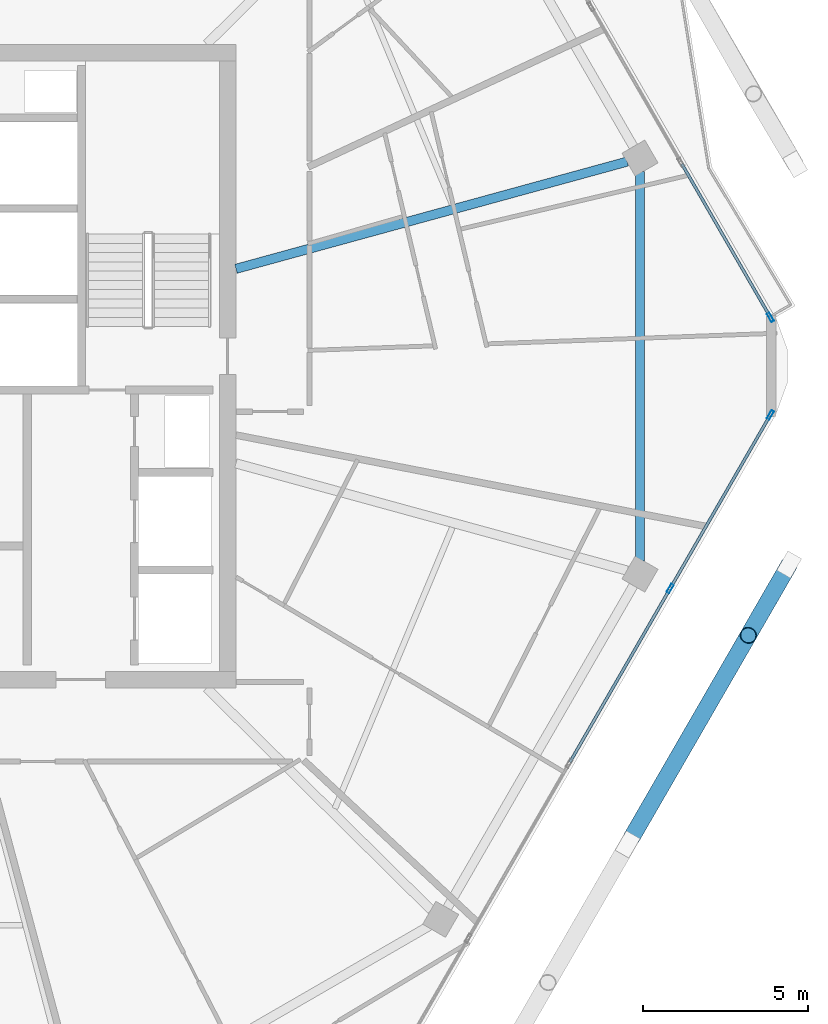
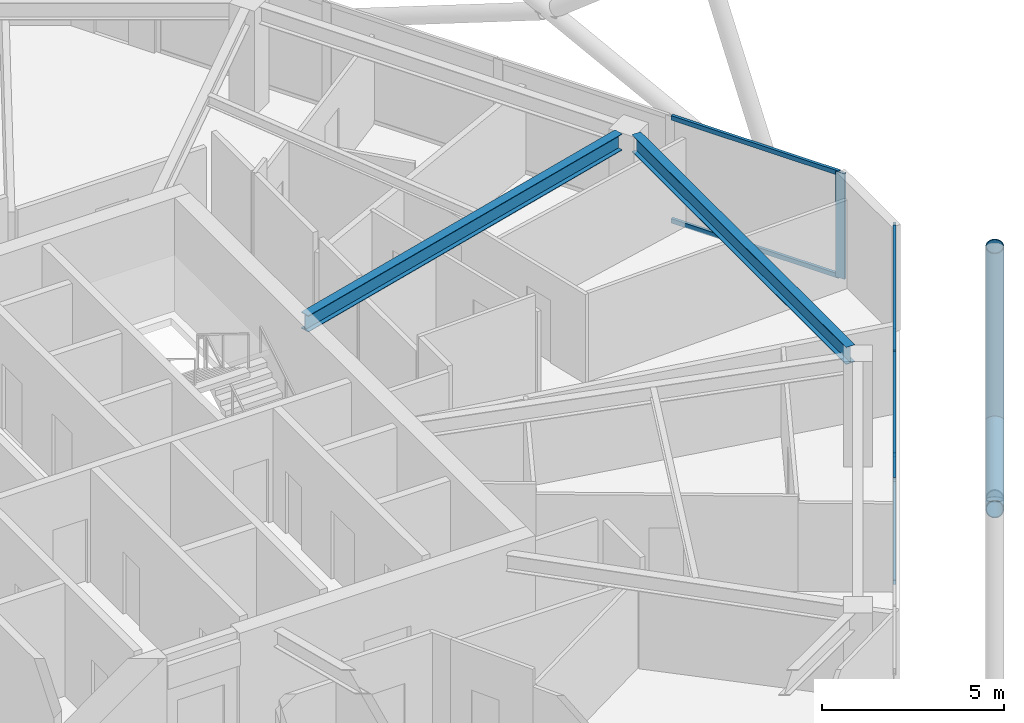
# One storey, part 8 of 23: 11 members, 2 beams, 2 elements without a shape of their own.
"""IFC4 building model written with IfcOpenShell, lengths in metres."""

import ifcopenshell
import ifcopenshell.guid

model = None  # the IFC model being written
_history = None  # IfcOwnerHistory: only IFC2X3 demands one
_inside = {}  # id of a spatial element -> (the spatial element, [elements in it])
_under = {}  # id of a project, library or spatial element -> (it, [spatial elements below it])
_declared = {}  # id of a project -> (the project, [libraries it declares])
_typed = {}  # id of a type object -> (the type object, [elements of that type])
_made_of = {}  # id of a material, layer set ... -> (it, [elements and type objects made of it])


def new_model(schema):
    """Start an empty IFC model of exactly this schema.

    Asked for "IFC4X3", IfcOpenShell would pick the latest addendum, in which some entities
    have other attributes; the version numbers below select the first issue.
    IFC2X3 requires an IfcOwnerHistory on every rooted entity: one is made here for all.
    """
    global model, _history
    if schema == "IFC4X3":
        model = ifcopenshell.file(schema_version=(4, 3, 0, 0))
    else:
        model = ifcopenshell.file(schema=schema)
    _inside.clear()
    _under.clear()
    _declared.clear()
    _typed.clear()
    _made_of.clear()
    _history = None
    if model.schema == "IFC2X3":
        org = make("IfcOrganization", Name="unknown")
        user = make(
            "IfcPersonAndOrganization",
            ThePerson=make("IfcPerson", FamilyName="unknown"),
            TheOrganization=org,
        )
        app = make(
            "IfcApplication",
            ApplicationDeveloper=org,
            Version="unknown",
            ApplicationFullName="unknown",
            ApplicationIdentifier="unknown",
        )
        _history = make(
            "IfcOwnerHistory",
            OwningUser=user,
            OwningApplication=app,
            ChangeAction="ADDED",
            CreationDate=0,
        )
    return model


def make(cls, **values):
    """One entity of the class cls with the attributes given. An attribute that is None is left unset."""
    return model.create_entity(
        cls, **{name: value for name, value in values.items() if value is not None}
    )


def rooted(cls, **values):
    """An entity with a GlobalId (a new one), such as an element, a storey or a relation."""
    return make(cls, GlobalId=ifcopenshell.guid.new(), OwnerHistory=_history, **values)


def si_unit(unit_type, name, prefix=None):
    """IfcSIUnit, for example si_unit("LENGTHUNIT", "METRE", prefix="MILLI")."""
    return make("IfcSIUnit", UnitType=unit_type, Prefix=prefix, Name=name)


def assignment(units):
    """IfcUnitAssignment: the units of a project."""
    return None if units is None else make("IfcUnitAssignment", Units=units)


def point(xyz):
    """IfcCartesianPoint."""
    return None if xyz is None else make("IfcCartesianPoint", Coordinates=xyz)


def direction(xyz):
    """IfcDirection."""
    return None if xyz is None else make("IfcDirection", DirectionRatios=xyz)


def frame(location, z_axis=None, x_axis=None):
    """IfcAxis2Placement3D, a coordinate frame: its origin and axes. An axis left out is left unset."""
    return make(
        "IfcAxis2Placement3D",
        Location=point(location),
        Axis=direction(z_axis),
        RefDirection=direction(x_axis),
    )


def frame_2d(location, x_axis=None):
    """IfcAxis2Placement2D, a coordinate frame in the plane: its origin and x axis."""
    return make(
        "IfcAxis2Placement2D", Location=point(location), RefDirection=direction(x_axis)
    )


def origin():
    """The frame at (0, 0, 0) with its axes left unset."""
    return frame((0.0, 0.0, 0.0))


def origin_2d():
    """The frame at (0, 0) in the plane with its x axis left unset."""
    return frame_2d((0.0, 0.0))


def place(relative_to, where):
    """IfcLocalPlacement: puts the frame where relative to a parent placement (None: the world)."""
    return make(
        "IfcLocalPlacement", PlacementRelTo=relative_to, RelativePlacement=where
    )


def context(
    kind, dimensions, precision=None, world=None, true_north=None, identifier=None
):
    """IfcGeometricRepresentationContext, for example the 3D "Model" context."""
    return make(
        "IfcGeometricRepresentationContext",
        ContextIdentifier=identifier,
        ContextType=kind,
        CoordinateSpaceDimension=dimensions,
        Precision=precision,
        WorldCoordinateSystem=world,
        TrueNorth=true_north,
    )


def subcontext(parent, identifier, kind, view, scale=None):
    """IfcGeometricRepresentationSubContext, for example "Body" below "Model"."""
    return make(
        "IfcGeometricRepresentationSubContext",
        ContextIdentifier=identifier,
        ContextType=kind,
        ParentContext=parent,
        TargetScale=scale,
        TargetView=view,
    )


def project(units=None, contexts=None):
    """IfcProject with its units and contexts."""
    return rooted(
        "IfcProject",
        Name="project",
        RepresentationContexts=contexts,
        UnitsInContext=assignment(units),
    )


def spatial(cls, under=None, at=None, **own):
    """A site, building, storey or space (cls), placed at a placement, below another one or the project."""
    s = rooted(cls, ObjectPlacement=at, **own)
    if under is not None:
        _under.setdefault(under.id(), (under, []))[1].append(s)
    return s


def profile(cls, at=None, kind="AREA", **sizes):
    """A parametric profile (cls). Its sizes go by their IFC names, for example OverallWidth=200.0."""
    return make(cls, ProfileType=kind, Position=at, **sizes)


def hollow_rectangle(**sizes):
    """IfcRectangleHollowProfileDef."""
    return profile("IfcRectangleHollowProfileDef", **sizes)


def hollow_circle(**sizes):
    """IfcCircleHollowProfileDef."""
    return profile("IfcCircleHollowProfileDef", **sizes)


def i_section(**sizes):
    """IfcIShapeProfileDef."""
    return profile("IfcIShapeProfileDef", **sizes)


def extrude(swept, where, along, depth):
    """IfcExtrudedAreaSolid: the profile swept, set in the frame where, extruded along a direction by depth."""
    return make(
        "IfcExtrudedAreaSolid",
        SweptArea=swept,
        Position=where,
        ExtrudedDirection=direction(along),
        Depth=depth,
    )


def shape(context_of_items, identifier, shape_type, items):
    """IfcShapeRepresentation: the items that make up one representation, for example the "Body"."""
    return make(
        "IfcShapeRepresentation",
        ContextOfItems=context_of_items,
        RepresentationIdentifier=identifier,
        RepresentationType=shape_type,
        Items=items,
    )


def material(Name=None, Category=None):
    """IfcMaterial."""
    return make("IfcMaterial", Name=Name, Category=Category)


def material_profile(
    of_material, cross_section, Name=None, Category=None, Priority=None
):
    """IfcMaterialProfile: a cross section and its material."""
    return make(
        "IfcMaterialProfile",
        Name=Name,
        Material=of_material,
        Profile=cross_section,
        Priority=Priority,
        Category=Category,
    )


def profile_set(profiles, Name=None, composite=None):
    """IfcMaterialProfileSet."""
    return make(
        "IfcMaterialProfileSet",
        Name=Name,
        MaterialProfiles=profiles,
        CompositeProfile=composite,
    )


def made_of(thing, what):
    """Note that an element or type object is made of a material, layer set ...; save() writes the relation."""
    if what is not None:
        _made_of.setdefault(what.id(), (what, []))[1].append(thing)
    return thing


def type_object(cls, material=None, **own):
    """A type object (cls), such as IfcWallType, which elements share."""
    return made_of(rooted(cls, **own), material)


def element(
    cls,
    number,
    at=None,
    inside=None,
    cuts=None,
    type_object=None,
    material=None,
    context=None,
    identifier="Body",
    shape_type=None,
    held_by="IfcProductDefinitionShape",
    body=None,
    shapes=None,
    **own,
):
    """One element of the class cls, such as IfcWall. Its Tag is "e" and its number.

    at: its placement. inside: the storey or other place that contains it. cuts: it is an
    opening in that element (IfcRelVoidsElement). A single representation is given by context,
    identifier, shape_type and body (its items); several are given by shapes. held_by: the class
    of the entity that holds the representations. save() writes the other relations.
    """
    e = rooted(cls, Tag="e%d" % number, ObjectPlacement=at, **own)
    if body is not None:
        shapes = [shape(context, identifier, shape_type, body)]
    if shapes is not None:
        e.Representation = make(held_by, Representations=shapes)
    if inside is not None:
        _inside.setdefault(inside.id(), (inside, []))[1].append(e)
    if cuts is not None:
        rooted(
            "IfcRelVoidsElement", RelatingBuildingElement=cuts, RelatedOpeningElement=e
        )
    if type_object is not None:
        _typed.setdefault(type_object.id(), (type_object, []))[1].append(e)
    return made_of(e, material)


def aggregate(whole, parts):
    """IfcRelAggregates: a whole, such as a stair, and the parts it consists of."""
    return rooted("IfcRelAggregates", RelatingObject=whole, RelatedObjects=parts)


def save(model, path):
    """Write the relations noted so far, then the file.

    IfcRelAggregates (storeys below a building ...), IfcRelContainedInSpatialStructure (elements
    in a storey), IfcRelDefinesByType, IfcRelAssociatesMaterial and IfcRelDeclares: one each for
    every whole, place, type object, material and project.
    """
    for whole, parts in _under.values():
        aggregate(whole, parts)
    for where, things in _inside.values():
        rooted(
            "IfcRelContainedInSpatialStructure",
            RelatedElements=things,
            RelatingStructure=where,
        )
    for kind, things in _typed.values():
        rooted("IfcRelDefinesByType", RelatedObjects=things, RelatingType=kind)
    for what, things in _made_of.values():
        rooted("IfcRelAssociatesMaterial", RelatedObjects=things, RelatingMaterial=what)
    for by, libraries in _declared.values():
        rooted("IfcRelDeclares", RelatingContext=by, RelatedDefinitions=libraries)
    model.write(path)


model = new_model("IFC4")

# Units and contexts
model_context = context("Model", 3, precision=1e-05, world=origin(), true_north=direction((0.0, 1.0)))
body_context = subcontext(model_context, "Body", "Model", "MODEL_VIEW")
ifc_project = project(units=[si_unit("LENGTHUNIT", "METRE"), si_unit("AREAUNIT", "SQUARE_METRE"), si_unit("VOLUMEUNIT", "CUBIC_METRE"), si_unit("PLANEANGLEUNIT", "RADIAN"), si_unit("MASSUNIT", "GRAM", prefix="KILO")], contexts=[model_context])

# Site, building, storey
site_placement = place(None, origin())
site = spatial("IfcSite", under=ifc_project, at=site_placement, CompositionType="ELEMENT")
building_placement = place(site_placement, origin())
building = spatial("IfcBuilding", under=site, at=building_placement, Name="Zuhravey Tower", CompositionType="ELEMENT")
storey_placement = place(building_placement, frame((0.0, 0.0, 331.0)))
storey = spatial("IfcBuildingStorey", under=building, at=storey_placement, Name="L84", CompositionType="ELEMENT", Elevation=331.0)

# Curtain wall, members
ifc_material_1 = material(Name="Thermally broken anodised aluminium", Category="aluminium")
curtain_wall_type = type_object("IfcCurtainWallType", Name="Zone 3-4 High-Rise Curtain Wall CW4", PredefinedType="NOTDEFINED", material=ifc_material_1)
curtain_wall_1_placement = place(storey_placement, origin())
curtain_wall_1 = element("IfcCurtainWall", 1, at=curtain_wall_1_placement, inside=storey, type_object=curtain_wall_type, Name="L84 CW4 CW-L84-F6-1", PredefinedType="NOTDEFINED")
ifc_material_2 = material(Name="Anodised aluminium", Category="aluminium")
ifc_material_profile_1 = material_profile(ifc_material_2, hollow_rectangle(XDim=0.090087890625, YDim=0.284912109375, WallThickness=0.0048828125, at=origin_2d()), Name="ALU-RHS-90x285x5")
ifc_profile_set_1 = profile_set([ifc_material_profile_1], Name="Anodised aluminium")
member_type_1 = type_object("IfcMemberType", Name="Curtain-Wall Mullion 90x180", PredefinedType="MULLION", material=ifc_profile_set_1)
member_1_placement = place(storey_placement, frame((62.94580078125, 30.5234375, 0.0), z_axis=(0.0, 0.0, 1.0), x_axis=(0.866025511541, -0.49999981336, 0.0)))
member_1 = element("IfcMember", 2, at=member_1_placement, type_object=member_type_1, Name="CW4 mullion 1", PredefinedType="MULLION", context=body_context, shape_type="SweptSolid", body=[
    extrude(hollow_rectangle(XDim=0.090087890625, YDim=0.284912109375, WallThickness=0.0048828125, at=origin_2d()), origin(), (0.0, 0.0, 1.0), 3.550048828125),
])
member_2_placement = place(storey_placement, frame((59.90869140625, 25.2626953125, 0.0), z_axis=(0.0, 0.0, 1.0), x_axis=(0.866025511541, -0.49999981336, 0.0)))
member_2 = element("IfcMember", 3, at=member_2_placement, type_object=member_type_1, Name="CW4 mullion 2", PredefinedType="MULLION", context=body_context, shape_type="SweptSolid", body=[
    extrude(hollow_rectangle(XDim=0.090087890625, YDim=0.284912109375, WallThickness=0.0048828125, at=origin_2d()), origin(), (0.0, 0.0, 1.0), 3.550048828125),
])

# Curtain wall, member
curtain_wall_2_placement = place(storey_placement, origin())
curtain_wall_2 = element("IfcCurtainWall", 4, at=curtain_wall_2_placement, inside=storey, type_object=curtain_wall_type, Name="L84 CW4 CW-L84-F1-1", PredefinedType="NOTDEFINED")
member_3_placement = place(storey_placement, frame((62.94580078125, 33.4765625, 0.0), z_axis=(0.0, 0.0, 1.0), x_axis=(0.866024394206, 0.500001748638, 0.0)))
member_3 = element("IfcMember", 5, at=member_3_placement, type_object=member_type_1, Name="CW4 mullion 5", PredefinedType="MULLION", context=body_context, shape_type="SweptSolid", body=[
    extrude(hollow_rectangle(XDim=0.090087890625, YDim=0.284912109375, WallThickness=0.0048828125, at=origin_2d()), origin(), (0.0, 0.0, 1.0), 3.550048828125),
])

# Member
ifc_material_profile_2 = material_profile(ifc_material_2, hollow_rectangle(XDim=0.090087890625, YDim=0.14990234375, WallThickness=0.0048828125, at=origin_2d()), Name="ALU-RHS-90x150x5")
ifc_profile_set_2 = profile_set([ifc_material_profile_2], Name="Anodised aluminium")
member_type_2 = type_object("IfcMemberType", Name="Curtain-Wall Transom 90x150", PredefinedType="USERDEFINED", material=ifc_profile_set_2)
member_4_placement = place(storey_placement, frame((62.92333984375, 30.484619140625, 0.044921875), z_axis=(-0.499982594807, -0.866035452444, 0.0), x_axis=(0.866035452444, -0.499982594807, 0.0)))
member_4 = element("IfcMember", 6, at=member_4_placement, type_object=member_type_2, Name="CW4 transom 1.1", ObjectType="TRANSOM", PredefinedType="USERDEFINED", context=body_context, shape_type="SweptSolid", body=[
    extrude(hollow_rectangle(XDim=0.090087890625, YDim=0.14990234375, WallThickness=0.0048828125, at=origin_2d()), origin(), (0.0, 0.0, 1.0), 5.984619140625),
])

member_5_placement = place(storey_placement, frame((62.92333984375, 30.484619140625, 3.5048828125), z_axis=(-0.499982594807, -0.866035452444, 0.0), x_axis=(0.866035452444, -0.499982594807, 0.0)))
member_5 = element("IfcMember", 7, at=member_5_placement, type_object=member_type_2, Name="CW4 transom 1.2", ObjectType="TRANSOM", PredefinedType="USERDEFINED", context=body_context, shape_type="SweptSolid", body=[
    extrude(hollow_rectangle(XDim=0.090087890625, YDim=0.14990234375, WallThickness=0.0048828125, at=origin_2d()), origin(), (0.0, 0.0, 1.0), 5.984619140625),
])

member_6_placement = place(storey_placement, frame((59.885986328125, 25.2236328125, 0.044921875), z_axis=(-0.499988837749, -0.866031848217, 0.0), x_axis=(0.866031848217, -0.499988837749, 0.0)))
member_6 = element("IfcMember", 8, at=member_6_placement, type_object=member_type_2, Name="CW4 transom 2.1", ObjectType="TRANSOM", PredefinedType="USERDEFINED", context=body_context, shape_type="SweptSolid", body=[
    extrude(hollow_rectangle(XDim=0.090087890625, YDim=0.14990234375, WallThickness=0.0048828125, at=origin_2d()), origin(), (0.0, 0.0, 1.0), 6.029541015625),
])

member_7_placement = place(storey_placement, frame((59.885986328125, 25.2236328125, 3.5048828125), z_axis=(-0.499988837749, -0.866031848217, 0.0), x_axis=(0.866031848217, -0.499988837749, 0.0)))
member_7 = element("IfcMember", 9, at=member_7_placement, type_object=member_type_2, Name="CW4 transom 2.2", ObjectType="TRANSOM", PredefinedType="USERDEFINED", context=body_context, shape_type="SweptSolid", body=[
    extrude(hollow_rectangle(XDim=0.090087890625, YDim=0.14990234375, WallThickness=0.0048828125, at=origin_2d()), origin(), (0.0, 0.0, 1.0), 6.029541015625),
])

aggregate(curtain_wall_1, [member_1, member_2, member_4, member_5, member_6, member_7])

member_8_placement = place(storey_placement, frame((60.26220703125, 38.124755859375, 0.044921875), z_axis=(0.499987164874, -0.866032814021, 0.0), x_axis=(0.866032814021, 0.499987164874, 0.0)))
member_8 = element("IfcMember", 10, at=member_8_placement, type_object=member_type_2, Name="CW4 transom 4.1", ObjectType="TRANSOM", PredefinedType="USERDEFINED", context=body_context, shape_type="SweptSolid", body=[
    extrude(hollow_rectangle(XDim=0.090087890625, YDim=0.14990234375, WallThickness=0.0048828125, at=origin_2d()), origin(), (0.0, 0.0, 1.0), 5.322509765625),
])

member_9_placement = place(storey_placement, frame((60.26220703125, 38.124755859375, 3.5048828125), z_axis=(0.499987164874, -0.866032814021, 0.0), x_axis=(0.866032814021, 0.499987164874, 0.0)))
member_9 = element("IfcMember", 11, at=member_9_placement, type_object=member_type_2, Name="CW4 transom 4.2", ObjectType="TRANSOM", PredefinedType="USERDEFINED", context=body_context, shape_type="SweptSolid", body=[
    extrude(hollow_rectangle(XDim=0.090087890625, YDim=0.14990234375, WallThickness=0.0048828125, at=origin_2d()), origin(), (0.0, 0.0, 1.0), 5.322509765625),
])

aggregate(curtain_wall_2, [member_3, member_8, member_9])

# Members
ifc_material_3 = material(Name="Steel SM355", Category="steel")
ifc_material_profile_3 = material_profile(ifc_material_3, hollow_circle(Radius=0.25390625, WallThickness=0.02490234375, at=origin_2d()), Name="CHS-508.0x25")
ifc_profile_set_3 = profile_set([ifc_material_profile_3], Name="Steel SM355")
member_type_3 = type_object("IfcMemberType", Name="Exoskeleton Zone 4 Diagrid CHS508x25", PredefinedType="BRACE", material=ifc_profile_set_3)
member_10_placement = place(storey_placement, frame((63.510986328125, 25.982421875, -0.447998046875), z_axis=(-0.155227725192, -0.268842644559, 0.950593491351), x_axis=(0.866009569118, -0.500027425445, 0.0)))
element("IfcMember", 12, at=member_10_placement, inside=storey, type_object=member_type_3, Name="L84 Face 6 Diagrid Brace 4", PredefinedType="BRACE", context=body_context, shape_type="SweptSolid", body=[
    extrude(hollow_circle(Radius=0.25390625, WallThickness=0.02490234375, at=origin_2d()), origin(), (0.0, 0.0, 1.0), 7.96142578125),
])
member_11_placement = place(storey_placement, frame((63.49755859375, 25.958984375, -0.451416015625), z_axis=(-0.466120096099, -0.80734608376, 0.36183470957), x_axis=(0.866026046022, -0.49999888761, 0.0)))
element("IfcMember", 13, at=member_11_placement, inside=storey, type_object=member_type_3, Name="L84 Face 6 Split Diagrid Brace 3A", PredefinedType="BRACE", context=body_context, shape_type="SweptSolid", body=[
    extrude(hollow_circle(Radius=0.25390625, WallThickness=0.02490234375, at=origin_2d()), origin(), (0.0, 0.0, 1.0), 10.223388671875),
])

# Beams
ifc_material_profile_4 = material_profile(ifc_material_3, i_section(OverallWidth=0.280029296875, OverallDepth=0.580078125, WebThickness=0.011962890625, FlangeThickness=0.01904296875, at=origin_2d()), Name="H-580x280x12x19")
ifc_profile_set_4 = profile_set([ifc_material_profile_4], Name="Steel SM355")
beam_type_1 = type_object("IfcBeamType", Name="Perimeter Ring Beam H580x280", PredefinedType="BEAM", material=ifc_profile_set_4)
beam_1_placement = place(storey_placement, frame((58.993408203125, 26.1005859375, 3.260009765625), z_axis=(0.0, 1.0, 0.0), x_axis=(-1.0, 0.0, 0.0)))
element("IfcBeam", 14, at=beam_1_placement, inside=storey, type_object=beam_type_1, Name="L84 PB4 BM-L84-PB-12", PredefinedType="BEAM", context=body_context, shape_type="SweptSolid", body=[
    extrude(i_section(OverallWidth=0.280029296875, OverallDepth=0.580078125, WebThickness=0.011962890625, FlangeThickness=0.01904296875, at=origin_2d()), origin(), (0.0, 0.0, 1.0), 11.798828125),
])
ifc_material_profile_5 = material_profile(ifc_material_3, i_section(OverallWidth=0.280029296875, OverallDepth=0.550048828125, WebThickness=0.010986328125, FlangeThickness=0.01806640625, at=origin_2d()), Name="H-550x280x11x18")
ifc_profile_set_5 = profile_set([ifc_material_profile_5], Name="Steel SM355")
beam_type_2 = type_object("IfcBeamType", Name="Radial Primary Girder H550x280", PredefinedType="BEAM", material=ifc_profile_set_5)
beam_2_placement = place(storey_placement, frame((46.7529296875, 34.947265625, 3.27490234375), z_axis=(0.964427903067, 0.264346022829, 0.0), x_axis=(-0.264346022829, 0.964427903067, 0.0)))
element("IfcBeam", 15, at=beam_2_placement, inside=storey, type_object=beam_type_2, Name="L84 RG4 BM-L84-RAD-01", PredefinedType="BEAM", context=body_context, shape_type="SweptSolid", body=[
    extrude(i_section(OverallWidth=0.280029296875, OverallDepth=0.550048828125, WebThickness=0.010986328125, FlangeThickness=0.01806640625, at=origin_2d()), origin(), (0.0, 0.0, 1.0), 12.2890625),
])

save(model, "model.ifc")
